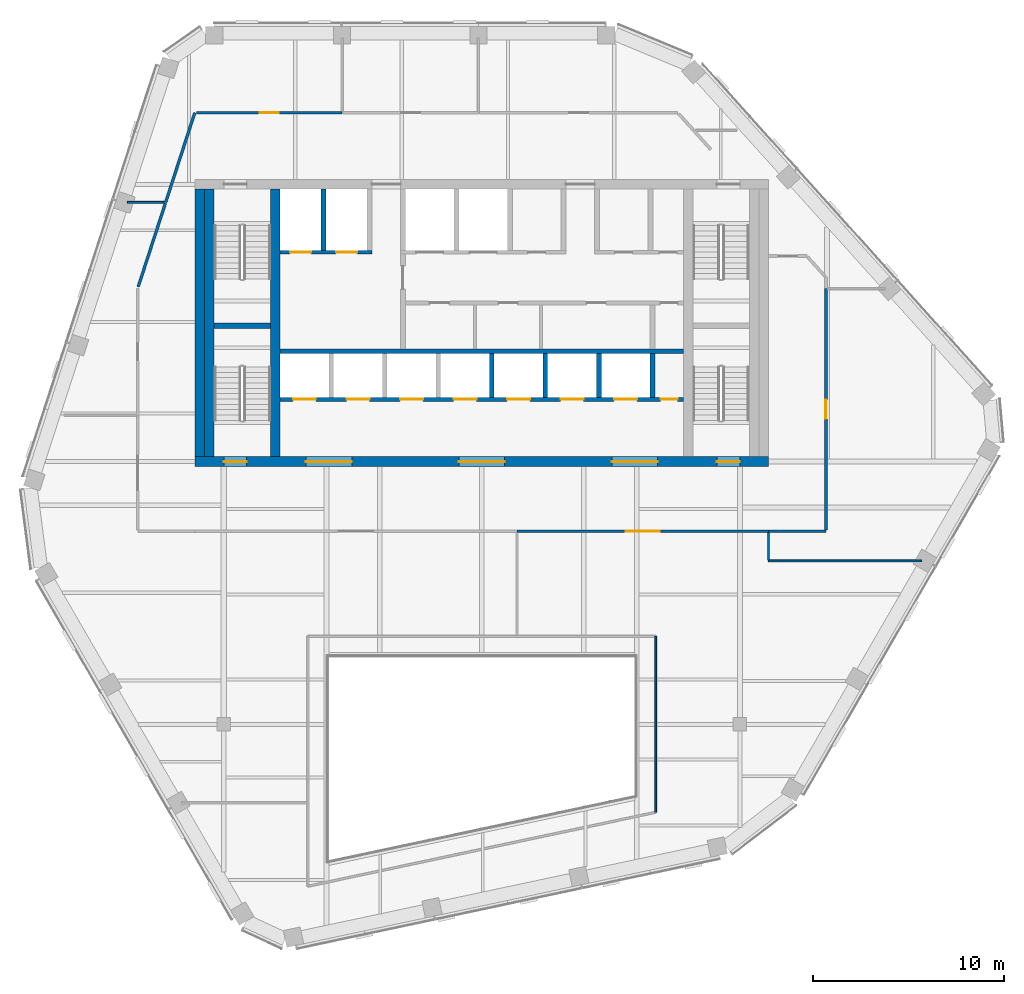
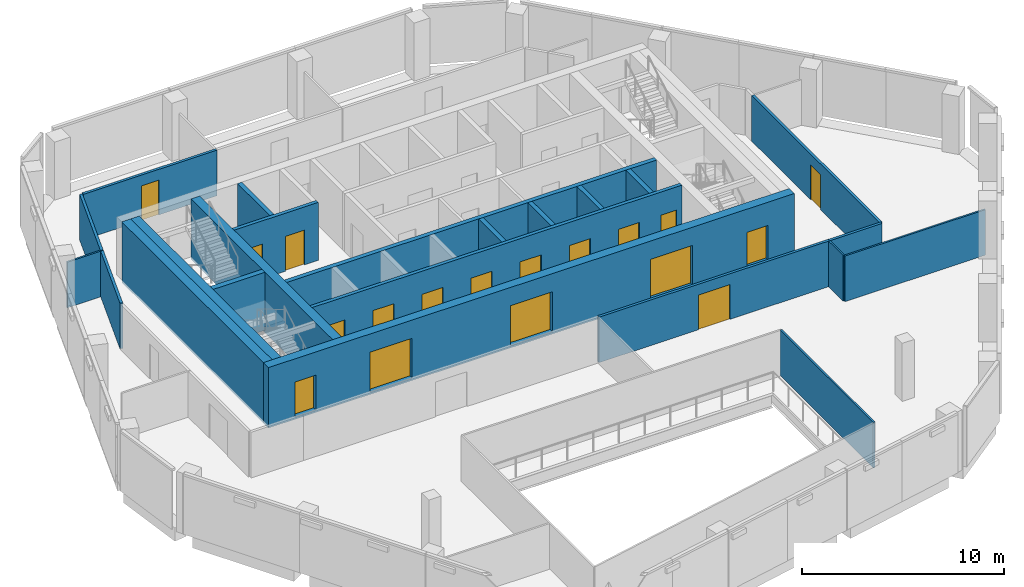
# One storey, part 8 of 15: 23 walls, 18 doors, 18 openings.
"""IFC4 building model written with IfcOpenShell, lengths in metres."""

from ifc_helpers import new_model, si_unit, direction, frame, frame_2d, origin, place, context, subcontext, project, spatial, rectangle, extrude, material, layer, layer_set, type_object, element, fill, save


model = new_model("IFC4")

# Units and contexts
model_context = context("Model", 3, precision=1e-05, world=origin(), true_north=direction((0.0, 1.0)))
body_context = subcontext(model_context, "Body", "Model", "MODEL_VIEW")
ifc_project = project(units=[si_unit("LENGTHUNIT", "METRE"), si_unit("AREAUNIT", "SQUARE_METRE"), si_unit("VOLUMEUNIT", "CUBIC_METRE"), si_unit("PLANEANGLEUNIT", "RADIAN"), si_unit("MASSUNIT", "GRAM", prefix="KILO")], contexts=[model_context])

# Site, building, storey
site_placement = place(None, origin())
site = spatial("IfcSite", under=ifc_project, at=site_placement, CompositionType="ELEMENT")
building_placement = place(site_placement, origin())
building = spatial("IfcBuilding", under=site, at=building_placement, Name="Isthmus Gate Tower", CompositionType="ELEMENT")
storey_placement = place(building_placement, frame((0.0, 0.0, 290.14990234375)))
storey = spatial("IfcBuildingStorey", under=building, at=storey_placement, Name="L74", CompositionType="ELEMENT", Elevation=290.14990234375)

# Wall
ifc_material_1 = material(Name="Fire-rated laminated glass in steel frame", Category="steel")
ifc_layer_1 = layer(ifc_material_1, 0.10009765625)
ifc_layer_set_1 = layer_set([ifc_layer_1], Name="ATRIUM SCREEN GLAZED WALL 100 120 MIN")
wall_type_1 = type_object("IfcWallType", Name="ATRIUM SCREEN GLAZED WALL 100 120 MIN", PredefinedType="PARTITIONING", material=ifc_layer_set_1)
wall_1_placement = place(storey_placement, frame((9.10009765625, -8.89990234375, 0.0), z_axis=(0.0, 0.0, 1.0), x_axis=(0.0, -1.0, 0.0)))
element("IfcWall", 1, at=wall_1_placement, inside=storey, type_object=wall_type_1, Name="L74 atrium screen", PredefinedType="PARTITIONING", context=body_context, shape_type="SweptSolid", body=[
    extrude(rectangle(XDim=9.200927734375, YDim=0.10009765625, at=frame_2d((4.6005859375, 0.0))), origin(), (0.0, 0.0, 1.0), 2.750732421875),
])

# Wall, opening, door
ifc_material_2 = material(Name="Gypsum board on steel studs, fire-rated", Category="steel")
ifc_layer_2 = layer(ifc_material_2, 0.14990234375)
ifc_layer_set_2 = layer_set([ifc_layer_2], Name="CORRIDOR WALL 150 60 MIN")
wall_type_2 = type_object("IfcWallType", Name="CORRIDOR WALL 150 60 MIN", PredefinedType="PARTITIONING", material=ifc_layer_set_2)
wall_2_placement = place(storey_placement, frame((15.0, -3.39990234375, 0.0), z_axis=(0.0, 0.0, 1.0), x_axis=(-1.0, 0.0, 0.0)))
wall_2 = element("IfcWall", 2, at=wall_2_placement, inside=storey, type_object=wall_type_2, Name="L74 Corridor Wall 150 60 Min", PredefinedType="PARTITIONING", context=body_context, shape_type="SweptSolid", body=[
    extrude(rectangle(XDim=13.156005859375, YDim=0.14990234375, at=frame_2d((6.578125, 0.0))), origin(), (0.0, 0.0, 1.0), 2.750732421875),
])
opening_1_placement = place(wall_2_placement, frame((5.677978515625, 0.0, 0.0)))
opening_1 = element("IfcOpeningElement", 3, at=opening_1_placement, cuts=wall_2, Name="Opening DT-T6C-09", PredefinedType="OPENING", context=body_context, shape_type="SweptSolid", body=[
    extrude(rectangle(XDim=1.800048828125, YDim=2.10009765625, at=frame_2d((0.89990234375, 1.050048828125))), frame((0.0, 0.0849609375, 0.0), z_axis=(0.0, -1.0, 0.0), x_axis=(1.0, 0.0, 0.0)), (0.0, 0.0, 1.0), 0.169921875),
])
ifc_material_3 = material(Name="Solid core timber door leaf, fire-rated", Category="wood")
door_type_1 = type_object("IfcDoorType", Name="FIRE DOOR ROOM 1800 X 2100 60 MIN", OperationType="DOUBLE_DOOR_DOUBLE_SWING", PredefinedType="DOOR", material=ifc_material_3)
door_1_placement = place(opening_1_placement, origin())
door_1 = element("IfcDoor", 4, at=door_1_placement, inside=storey, type_object=door_type_1, Name="L74 room door", OperationType="DOUBLE_DOOR_DOUBLE_SWING", OverallHeight=2.10009765625, OverallWidth=1.800048828125, PredefinedType="DOOR", context=body_context, shape_type="SweptSolid", body=[
    extrude(rectangle(XDim=1.800048828125, YDim=2.10009765625, at=frame_2d((0.89990234375, 1.050048828125))), frame((0.0, 0.02490234375, 0.0), z_axis=(0.0, -1.0, 0.0), x_axis=(1.0, 0.0, 0.0)), (0.0, 0.0, 1.0), 0.050048828125),
])
fill(opening_1, door_1)

# Wall
wall_3_placement = place(storey_placement, frame((18.0, -3.39990234375, 0.0), z_axis=(0.0, 0.0, 1.0), x_axis=(-1.0, 0.0, 0.0)))
element("IfcWall", 5, at=wall_3_placement, inside=storey, type_object=wall_type_2, Name="L74 Corridor Wall 150 60 Min", PredefinedType="PARTITIONING", context=body_context, shape_type="SweptSolid", body=[
    extrude(rectangle(XDim=3.0, YDim=0.14990234375, at=frame_2d((1.5, 0.0))), origin(), (0.0, 0.0, 1.0), 2.750732421875),
])

# Wall, opening, door
wall_4_placement = place(storey_placement, frame((18.0, 9.2900390625, 0.0), z_axis=(0.0, 0.0, 1.0), x_axis=(0.0, -1.0, 0.0)))
wall_4 = element("IfcWall", 6, at=wall_4_placement, inside=storey, type_object=wall_type_2, Name="L74 Corridor Wall 150 60 Min", PredefinedType="PARTITIONING", context=body_context, shape_type="SweptSolid", body=[
    extrude(rectangle(XDim=12.614990234375, YDim=0.14990234375, at=frame_2d((6.3076171875, 0.0))), origin(), (0.0, 0.0, 1.0), 2.750732421875),
])
opening_2_placement = place(wall_4_placement, frame((5.8076171875, 0.0, 0.0)))
opening_2 = element("IfcOpeningElement", 7, at=opening_2_placement, cuts=wall_4, Name="Opening DT-T6C-06", PredefinedType="OPENING", context=body_context, shape_type="SweptSolid", body=[
    extrude(rectangle(XDim=1.0, YDim=2.10009765625, at=frame_2d((0.5, 1.050048828125))), frame((0.0, 0.0849609375, 0.0), z_axis=(0.0, -1.0, 0.0), x_axis=(1.0, 0.0, 0.0)), (0.0, 0.0, 1.0), 0.169921875),
])
ifc_material_4 = material(Name="Solid core timber door leaf, fire-rated", Category="wood")
door_type_2 = type_object("IfcDoorType", Name="FIRE DOOR ROOM 1000 X 2100 60 MIN", OperationType="SINGLE_SWING_LEFT", PredefinedType="DOOR", material=ifc_material_4)
door_2_placement = place(opening_2_placement, origin())
door_2 = element("IfcDoor", 8, at=door_2_placement, inside=storey, type_object=door_type_2, Name="L74 room door", OperationType="SINGLE_SWING_RIGHT", OverallHeight=2.10009765625, OverallWidth=1.0, PredefinedType="DOOR", context=body_context, shape_type="SweptSolid", body=[
    extrude(rectangle(XDim=1.0, YDim=2.10009765625, at=frame_2d((0.5, 1.050048828125))), frame((0.0, 0.02490234375, 0.0), z_axis=(0.0, -1.0, 0.0), x_axis=(1.0, 0.0, 0.0)), (0.0, 0.0, 1.0), 0.050048828125),
])
fill(opening_2, door_2)

# Wall
wall_5_placement = place(storey_placement, frame((-16.541015625, 13.803955078125, 0.0), z_axis=(0.0, 0.0, 1.0), x_axis=(0.309069302416, 0.951039518792, 0.0)))
element("IfcWall", 9, at=wall_5_placement, inside=storey, type_object=wall_type_2, Name="L74 Corridor Wall 150 60 Min", PredefinedType="PARTITIONING", context=body_context, shape_type="SweptSolid", body=[
    extrude(rectangle(XDim=4.937744140625, YDim=0.14990234375, at=frame_2d((2.46875, 0.0))), origin(), (0.0, 0.0, 1.0), 2.750732421875),
])

# Wall, opening, door
wall_6_placement = place(storey_placement, frame((-14.925048828125, 18.5, 0.0), z_axis=(0.0, 0.0, 1.0), x_axis=(1.0, 0.0, 0.0)))
wall_6 = element("IfcWall", 10, at=wall_6_placement, inside=storey, type_object=wall_type_2, Name="L74 Corridor Wall 150 60 Min", PredefinedType="PARTITIONING", context=body_context, shape_type="SweptSolid", body=[
    extrude(rectangle(XDim=7.614990234375, YDim=0.14990234375, at=frame_2d((3.8076171875, 0.0))), origin(), (0.0, 0.0, 1.0), 2.750732421875),
])
opening_3_placement = place(wall_6_placement, frame((3.3076171875, 0.0, 0.0)))
opening_3 = element("IfcOpeningElement", 11, at=opening_3_placement, cuts=wall_6, Name="Opening DT-T6C-01", PredefinedType="OPENING", context=body_context, shape_type="SweptSolid", body=[
    extrude(rectangle(XDim=1.0, YDim=2.10009765625, at=frame_2d((0.5, 1.050048828125))), frame((0.0, 0.0849609375, 0.0), z_axis=(0.0, -1.0, 0.0), x_axis=(1.0, 0.0, 0.0)), (0.0, 0.0, 1.0), 0.169921875),
])
door_3_placement = place(opening_3_placement, origin())
door_3 = element("IfcDoor", 12, at=door_3_placement, inside=storey, type_object=door_type_2, Name="L74 room door", OperationType="SINGLE_SWING_RIGHT", OverallHeight=2.10009765625, OverallWidth=1.0, PredefinedType="DOOR", context=body_context, shape_type="SweptSolid", body=[
    extrude(rectangle(XDim=1.0, YDim=2.10009765625, at=frame_2d((0.5, 1.050048828125))), frame((0.0, 0.02490234375, 0.0), z_axis=(0.0, -1.0, 0.0), x_axis=(1.0, 0.0, 0.0)), (0.0, 0.0, 1.0), 0.050048828125),
])
fill(opening_3, door_3)

# Walls
wall_7_placement = place(storey_placement, frame((-17.976806640625, 9.38623046875, 0.0), z_axis=(0.0, 0.0, 1.0), x_axis=(0.309110099354, 0.951026259615, 0.0)))
element("IfcWall", 13, at=wall_7_placement, inside=storey, type_object=wall_type_2, Name="L74 Corridor Wall 150 60 Min", PredefinedType="PARTITIONING", context=body_context, shape_type="SweptSolid", body=[
    extrude(rectangle(XDim=4.59521484375, YDim=0.14990234375, at=frame_2d((2.297607421875, 0.0))), origin(), (0.0, 0.0, 1.0), 2.750732421875),
])
ifc_material_5 = material(Name="Concrete f'c 50 MPa", Category="concrete")
ifc_layer_3 = layer(ifc_material_5, 0.5)
ifc_layer_set_3 = layer_set([ifc_layer_3], Name="RC CORE SPINE WALL 500 F'C 50")
wall_type_3 = type_object("IfcWallType", Name="RC CORE SPINE WALL 500 F'C 50", PredefinedType="SOLIDWALL", material=ifc_layer_set_3)
wall_8_placement = place(storey_placement, frame((-10.800048828125, 0.5, -0.14990234375), z_axis=(0.0, 0.0, 1.0), x_axis=(0.0, 1.0, 0.0)))
element("IfcWall", 14, at=wall_8_placement, inside=storey, type_object=wall_type_3, Name="str-corewall-L74-SPW", PredefinedType="SOLIDWALL", context=body_context, shape_type="SweptSolid", body=[
    extrude(rectangle(XDim=14.0, YDim=0.5, at=frame_2d((7.0, 0.0))), origin(), (0.0, 0.0, 1.0), 3.64990234375),
])

# Wall, openings, doors
ifc_material_6 = material(Name="Concrete f'c 50 MPa", Category="concrete")
ifc_layer_4 = layer(ifc_material_6, 0.5)
ifc_layer_set_4 = layer_set([ifc_layer_4], Name="RC CORE WALL 500 F'C 50")
wall_type_4 = type_object("IfcWallType", Name="RC CORE WALL 500 F'C 50", PredefinedType="SOLIDWALL", material=ifc_layer_set_4)
wall_9_placement = place(storey_placement, frame((-15.0, 0.25, -0.14990234375), z_axis=(0.0, 0.0, 1.0), x_axis=(1.0, 0.0, 0.0)))
wall_9 = element("IfcWall", 15, at=wall_9_placement, inside=storey, type_object=wall_type_4, Name="str-corewall-L74-S", PredefinedType="SOLIDWALL", context=body_context, shape_type="SweptSolid", body=[
    extrude(rectangle(XDim=30.0, YDim=0.5, at=frame_2d((15.0, 0.0))), origin(), (0.0, 0.0, 1.0), 3.64990234375),
])
opening_4_placement = place(wall_9_placement, frame((5.800048828125, 0.0, 0.14990234375)))
opening_4 = element("IfcOpeningElement", 16, at=opening_4_placement, cuts=wall_9, Name="Opening DC-A20-10", PredefinedType="OPENING", context=body_context, shape_type="SweptSolid", body=[
    extrude(rectangle(XDim=2.39990234375, YDim=2.39990234375, at=frame_2d((1.199951171875, 1.199951171875))), frame((0.0, 0.260009765625, 0.0), z_axis=(0.0, -1.0, 0.0), x_axis=(1.0, 0.0, 0.0)), (0.0, 0.0, 1.0), 0.52001953125),
])
opening_5_placement = place(wall_9_placement, frame((13.800048828125, 0.0, 0.14990234375)))
opening_5 = element("IfcOpeningElement", 17, at=opening_5_placement, cuts=wall_9, Name="Opening DC-A20-11", PredefinedType="OPENING", context=body_context, shape_type="SweptSolid", body=[
    extrude(rectangle(XDim=2.39990234375, YDim=2.39990234375, at=frame_2d((1.199951171875, 1.199951171875))), frame((0.0, 0.260009765625, 0.0), z_axis=(0.0, -1.0, 0.0), x_axis=(1.0, 0.0, 0.0)), (0.0, 0.0, 1.0), 0.52001953125),
])
opening_6_placement = place(wall_9_placement, frame((21.800048828125, 0.0, 0.14990234375)))
opening_6 = element("IfcOpeningElement", 18, at=opening_6_placement, cuts=wall_9, Name="Opening DC-A20-12", PredefinedType="OPENING", context=body_context, shape_type="SweptSolid", body=[
    extrude(rectangle(XDim=2.39990234375, YDim=2.39990234375, at=frame_2d((1.199951171875, 1.199951171875))), frame((0.0, 0.260009765625, 0.0), z_axis=(0.0, -1.0, 0.0), x_axis=(1.0, 0.0, 0.0)), (0.0, 0.0, 1.0), 0.52001953125),
])
opening_7_placement = place(wall_9_placement, frame((1.5, 0.0, 0.14990234375)))
opening_7 = element("IfcOpeningElement", 19, at=opening_7_placement, cuts=wall_9, Name="Opening DC-A20-17", PredefinedType="OPENING", context=body_context, shape_type="SweptSolid", body=[
    extrude(rectangle(XDim=1.199951171875, YDim=2.10009765625, at=frame_2d((0.60009765625, 1.050048828125))), frame((0.0, 0.260009765625, 0.0), z_axis=(0.0, -1.0, 0.0), x_axis=(1.0, 0.0, 0.0)), (0.0, 0.0, 1.0), 0.52001953125),
])
opening_8_placement = place(wall_9_placement, frame((27.300048828125, 0.0, 0.14990234375)))
opening_8 = element("IfcOpeningElement", 20, at=opening_8_placement, cuts=wall_9, Name="Opening DC-A20-18", PredefinedType="OPENING", context=body_context, shape_type="SweptSolid", body=[
    extrude(rectangle(XDim=1.199951171875, YDim=2.10009765625, at=frame_2d((0.60009765625, 1.050048828125))), frame((0.0, 0.260009765625, 0.0), z_axis=(0.0, -1.0, 0.0), x_axis=(1.0, 0.0, 0.0)), (0.0, 0.0, 1.0), 0.52001953125),
])
ifc_material_7 = material(Name="Laminated safety glass in steel frame, fire-rated", Category="steel")
door_type_3 = type_object("IfcDoorType", Name="LOBBY ENTRANCE FIRE DOOR 2400 X 2400 60 MIN", OperationType="DOUBLE_DOOR_DOUBLE_SWING", PredefinedType="DOOR", material=ifc_material_7)
door_4_placement = place(opening_4_placement, origin())
door_4 = element("IfcDoor", 21, at=door_4_placement, inside=storey, type_object=door_type_3, Name="Lobby Entrance PS-W", OperationType="DOUBLE_DOOR_DOUBLE_SWING", OverallHeight=2.39990234375, OverallWidth=2.39990234375, PredefinedType="DOOR", context=body_context, shape_type="SweptSolid", body=[
    extrude(rectangle(XDim=2.39990234375, YDim=2.39990234375, at=frame_2d((1.199951171875, 1.199951171875))), frame((0.0, 0.02490234375, 0.0), z_axis=(0.0, -1.0, 0.0), x_axis=(1.0, 0.0, 0.0)), (0.0, 0.0, 1.0), 0.050048828125),
])
fill(opening_4, door_4)
door_5_placement = place(opening_5_placement, origin())
door_5 = element("IfcDoor", 22, at=door_5_placement, inside=storey, type_object=door_type_3, Name="Lobby Entrance PS-C", OperationType="DOUBLE_DOOR_DOUBLE_SWING", OverallHeight=2.39990234375, OverallWidth=2.39990234375, PredefinedType="DOOR", context=body_context, shape_type="SweptSolid", body=[
    extrude(rectangle(XDim=2.39990234375, YDim=2.39990234375, at=frame_2d((1.199951171875, 1.199951171875))), frame((0.0, 0.02490234375, 0.0), z_axis=(0.0, -1.0, 0.0), x_axis=(1.0, 0.0, 0.0)), (0.0, 0.0, 1.0), 0.050048828125),
])
fill(opening_5, door_5)
door_6_placement = place(opening_6_placement, origin())
door_6 = element("IfcDoor", 23, at=door_6_placement, inside=storey, type_object=door_type_3, Name="Lobby Entrance PS-E", OperationType="DOUBLE_DOOR_DOUBLE_SWING", OverallHeight=2.39990234375, OverallWidth=2.39990234375, PredefinedType="DOOR", context=body_context, shape_type="SweptSolid", body=[
    extrude(rectangle(XDim=2.39990234375, YDim=2.39990234375, at=frame_2d((1.199951171875, 1.199951171875))), frame((0.0, 0.02490234375, 0.0), z_axis=(0.0, -1.0, 0.0), x_axis=(1.0, 0.0, 0.0)), (0.0, 0.0, 1.0), 0.050048828125),
])
fill(opening_6, door_6)
ifc_material_8 = material(Name="Steel door leaf, fire-rated", Category="steel")
door_type_4 = type_object("IfcDoorType", Name="STAIR FIRE DOOR 1200 X 2100 90 MIN", OperationType="SINGLE_SWING_LEFT", PredefinedType="DOOR", material=ifc_material_8)
door_7_placement = place(opening_7_placement, origin())
door_7 = element("IfcDoor", 24, at=door_7_placement, inside=storey, type_object=door_type_4, Name="Exit Stair 7 Door", OperationType="SINGLE_SWING_LEFT", OverallHeight=2.10009765625, OverallWidth=1.199951171875, PredefinedType="DOOR", context=body_context, shape_type="SweptSolid", body=[
    extrude(rectangle(XDim=1.199951171875, YDim=2.10009765625, at=frame_2d((0.60009765625, 1.050048828125))), frame((0.0, 0.02490234375, 0.0), z_axis=(0.0, -1.0, 0.0), x_axis=(1.0, 0.0, 0.0)), (0.0, 0.0, 1.0), 0.050048828125),
])
fill(opening_7, door_7)
door_8_placement = place(opening_8_placement, origin())
door_8 = element("IfcDoor", 25, at=door_8_placement, inside=storey, type_object=door_type_4, Name="Exit Stair 8 Door", OperationType="SINGLE_SWING_RIGHT", OverallHeight=2.10009765625, OverallWidth=1.199951171875, PredefinedType="DOOR", context=body_context, shape_type="SweptSolid", body=[
    extrude(rectangle(XDim=1.199951171875, YDim=2.10009765625, at=frame_2d((0.60009765625, 1.050048828125))), frame((0.0, 0.02490234375, 0.0), z_axis=(0.0, -1.0, 0.0), x_axis=(1.0, 0.0, 0.0)), (0.0, 0.0, 1.0), 0.050048828125),
])
fill(opening_8, door_8)

# Walls
wall_10_placement = place(storey_placement, frame((-14.75, 0.5, -0.14990234375), z_axis=(0.0, 0.0, 1.0), x_axis=(0.0, 1.0, 0.0)))
element("IfcWall", 26, at=wall_10_placement, inside=storey, type_object=wall_type_4, Name="str-corewall-L74-W", PredefinedType="SOLIDWALL", context=body_context, shape_type="SweptSolid", body=[
    extrude(rectangle(XDim=14.0, YDim=0.5, at=frame_2d((7.0, 0.0))), origin(), (0.0, 0.0, 1.0), 3.64990234375),
])
ifc_material_9 = material(Name="Gypsum board on steel studs, fire-rated", Category="steel")
ifc_layer_5 = layer(ifc_material_9, 0.10009765625)
ifc_layer_set_5 = layer_set([ifc_layer_5], Name="ROOM PARTITION 100 30 MIN")
wall_type_5 = type_object("IfcWallType", Name="ROOM PARTITION 100 30 MIN", PredefinedType="PARTITIONING", material=ifc_layer_set_5)
wall_11_placement = place(storey_placement, frame((-18.5390625, 13.803955078125, 0.0), z_axis=(0.0, 0.0, 1.0), x_axis=(1.0, 0.0, 0.0)))
element("IfcWall", 27, at=wall_11_placement, inside=storey, type_object=wall_type_5, Name="L74 Room Partition 100 30 Min", PredefinedType="PARTITIONING", context=body_context, shape_type="SweptSolid", body=[
    extrude(rectangle(XDim=1.923095703125, YDim=0.10009765625, at=frame_2d((0.96142578125, 0.0))), origin(), (0.0, 0.0, 1.0), 2.750732421875),
])
wall_12_placement = place(storey_placement, frame((15.0, -4.945068359375, 0.0), z_axis=(0.0, 0.0, 1.0), x_axis=(1.0, 0.0, 0.0)))
element("IfcWall", 28, at=wall_12_placement, inside=storey, type_object=wall_type_5, Name="L74 Room Partition 100 30 Min", PredefinedType="PARTITIONING", context=body_context, shape_type="SweptSolid", body=[
    extrude(rectangle(XDim=8.010009765625, YDim=0.10009765625, at=frame_2d((4.0048828125, 0.0))), origin(), (0.0, 0.0, 1.0), 2.750732421875),
])
wall_13_placement = place(storey_placement, frame((15.0, -4.89501953125, 0.0), z_axis=(0.0, 0.0, 1.0), x_axis=(0.0, 1.0, 0.0)))
element("IfcWall", 29, at=wall_13_placement, inside=storey, type_object=wall_type_5, Name="L74 Room Partition 100 30 Min", PredefinedType="PARTITIONING", context=body_context, shape_type="SweptSolid", body=[
    extrude(rectangle(XDim=1.419921875, YDim=0.10009765625, at=frame_2d((0.7099609375, 0.0))), origin(), (0.0, 0.0, 1.0), 2.750732421875),
])

# Wall, openings, doors
ifc_material_10 = material(Name="Fire-rated blockwork masonry, 15 MPa", Category="masonry")
ifc_layer_6 = layer(ifc_material_10, 0.199951171875)
ifc_layer_set_6 = layer_set([ifc_layer_6], Name="SHAFT FRONT WALL 200 120 MIN")
wall_type_6 = type_object("IfcWallType", Name="SHAFT FRONT WALL 200 120 MIN", PredefinedType="PARTITIONING", material=ifc_layer_set_6)
wall_14_placement = place(storey_placement, frame((-10.550048828125, 3.5, 0.0), z_axis=(0.0, 0.0, 1.0), x_axis=(1.0, 0.0, 0.0)))
wall_14 = element("IfcWall", 30, at=wall_14_placement, inside=storey, type_object=wall_type_6, Name="L74 SHAFT FRONT WALL 200 120 MIN", PredefinedType="PARTITIONING", context=body_context, shape_type="SweptSolid", body=[
    extrude(rectangle(XDim=21.10009765625, YDim=0.199951171875, at=frame_2d((10.550048828125, 0.0))), origin(), (0.0, 0.0, 1.0), 3.5),
])
opening_9_placement = place(wall_14_placement, frame((0.675048828125, 0.0, 0.0)))
opening_9 = element("IfcOpeningElement", 31, at=opening_9_placement, cuts=wall_14, Name="Opening LD-LC1", PredefinedType="OPENING", context=body_context, shape_type="SweptSolid", body=[
    extrude(rectangle(XDim=1.199951171875, YDim=2.10009765625, at=frame_2d((0.60009765625, 1.050048828125))), frame((0.0, 0.10986328125, 0.0), z_axis=(0.0, -1.0, 0.0), x_axis=(1.0, 0.0, 0.0)), (0.0, 0.0, 1.0), 0.219970703125),
])
opening_10_placement = place(wall_14_placement, frame((3.47509765625, 0.0, 0.0)))
opening_10 = element("IfcOpeningElement", 32, at=opening_10_placement, cuts=wall_14, Name="Opening LD-LC2", PredefinedType="OPENING", context=body_context, shape_type="SweptSolid", body=[
    extrude(rectangle(XDim=1.199951171875, YDim=2.10009765625, at=frame_2d((0.60009765625, 1.050048828125))), frame((0.0, 0.10986328125, 0.0), z_axis=(0.0, -1.0, 0.0), x_axis=(1.0, 0.0, 0.0)), (0.0, 0.0, 1.0), 0.219970703125),
])
opening_11_placement = place(wall_14_placement, frame((6.27490234375, 0.0, 0.0)))
opening_11 = element("IfcOpeningElement", 33, at=opening_11_placement, cuts=wall_14, Name="Opening LD-LC3", PredefinedType="OPENING", context=body_context, shape_type="SweptSolid", body=[
    extrude(rectangle(XDim=1.199951171875, YDim=2.10009765625, at=frame_2d((0.60009765625, 1.050048828125))), frame((0.0, 0.10986328125, 0.0), z_axis=(0.0, -1.0, 0.0), x_axis=(1.0, 0.0, 0.0)), (0.0, 0.0, 1.0), 0.219970703125),
])
opening_12_placement = place(wall_14_placement, frame((9.074951171875, 0.0, 0.0)))
opening_12 = element("IfcOpeningElement", 34, at=opening_12_placement, cuts=wall_14, Name="Opening LD-LC4", PredefinedType="OPENING", context=body_context, shape_type="SweptSolid", body=[
    extrude(rectangle(XDim=1.199951171875, YDim=2.10009765625, at=frame_2d((0.60009765625, 1.050048828125))), frame((0.0, 0.10986328125, 0.0), z_axis=(0.0, -1.0, 0.0), x_axis=(1.0, 0.0, 0.0)), (0.0, 0.0, 1.0), 0.219970703125),
])
opening_13_placement = place(wall_14_placement, frame((11.875, 0.0, 0.0)))
opening_13 = element("IfcOpeningElement", 35, at=opening_13_placement, cuts=wall_14, Name="Opening LD-LC5", PredefinedType="OPENING", context=body_context, shape_type="SweptSolid", body=[
    extrude(rectangle(XDim=1.199951171875, YDim=2.10009765625, at=frame_2d((0.60009765625, 1.050048828125))), frame((0.0, 0.10986328125, 0.0), z_axis=(0.0, -1.0, 0.0), x_axis=(1.0, 0.0, 0.0)), (0.0, 0.0, 1.0), 0.219970703125),
])
opening_14_placement = place(wall_14_placement, frame((14.675048828125, 0.0, 0.0)))
opening_14 = element("IfcOpeningElement", 36, at=opening_14_placement, cuts=wall_14, Name="Opening LD-LC6", PredefinedType="OPENING", context=body_context, shape_type="SweptSolid", body=[
    extrude(rectangle(XDim=1.199951171875, YDim=2.10009765625, at=frame_2d((0.60009765625, 1.050048828125))), frame((0.0, 0.10986328125, 0.0), z_axis=(0.0, -1.0, 0.0), x_axis=(1.0, 0.0, 0.0)), (0.0, 0.0, 1.0), 0.219970703125),
])
opening_15_placement = place(wall_14_placement, frame((17.47509765625, 0.0, 0.0)))
opening_15 = element("IfcOpeningElement", 37, at=opening_15_placement, cuts=wall_14, Name="Opening LD-LC7", PredefinedType="OPENING", context=body_context, shape_type="SweptSolid", body=[
    extrude(rectangle(XDim=1.199951171875, YDim=2.10009765625, at=frame_2d((0.60009765625, 1.050048828125))), frame((0.0, 0.10986328125, 0.0), z_axis=(0.0, -1.0, 0.0), x_axis=(1.0, 0.0, 0.0)), (0.0, 0.0, 1.0), 0.219970703125),
])
opening_16_placement = place(wall_14_placement, frame((19.89990234375, 0.0, 0.0)))
opening_16 = element("IfcOpeningElement", 38, at=opening_16_placement, cuts=wall_14, Name="Opening DC-A20-02", PredefinedType="OPENING", context=body_context, shape_type="SweptSolid", body=[
    extrude(rectangle(XDim=0.89990234375, YDim=2.10009765625, at=frame_2d((0.449951171875, 1.050048828125))), frame((0.0, 0.10986328125, 0.0), z_axis=(0.0, -1.0, 0.0), x_axis=(1.0, 0.0, 0.0)), (0.0, 0.0, 1.0), 0.219970703125),
])
ifc_material_11 = material(Name="Stainless steel sliding leaf", Category="steel")
door_type_5 = type_object("IfcDoorType", Name="LIFT LANDING FIRE DOOR 1200 X 2100 90 MIN", OperationType="DOUBLE_DOOR_SLIDING", PredefinedType="DOOR", material=ifc_material_11)
door_9_placement = place(opening_9_placement, origin())
door_9 = element("IfcDoor", 39, at=door_9_placement, inside=storey, type_object=door_type_5, Name="Lift Landing Door LC1", OperationType="DOUBLE_DOOR_SLIDING", OverallHeight=2.10009765625, OverallWidth=1.199951171875, PredefinedType="DOOR", context=body_context, shape_type="SweptSolid", body=[
    extrude(rectangle(XDim=1.199951171875, YDim=2.10009765625, at=frame_2d((0.60009765625, 1.050048828125))), frame((0.0, 0.02490234375, 0.0), z_axis=(0.0, -1.0, 0.0), x_axis=(1.0, 0.0, 0.0)), (0.0, 0.0, 1.0), 0.050048828125),
])
fill(opening_9, door_9)
door_10_placement = place(opening_10_placement, origin())
door_10 = element("IfcDoor", 40, at=door_10_placement, inside=storey, type_object=door_type_5, Name="Lift Landing Door LC2", OperationType="DOUBLE_DOOR_SLIDING", OverallHeight=2.10009765625, OverallWidth=1.199951171875, PredefinedType="DOOR", context=body_context, shape_type="SweptSolid", body=[
    extrude(rectangle(XDim=1.199951171875, YDim=2.10009765625, at=frame_2d((0.60009765625, 1.050048828125))), frame((0.0, 0.02490234375, 0.0), z_axis=(0.0, -1.0, 0.0), x_axis=(1.0, 0.0, 0.0)), (0.0, 0.0, 1.0), 0.050048828125),
])
fill(opening_10, door_10)
door_11_placement = place(opening_11_placement, origin())
door_11 = element("IfcDoor", 41, at=door_11_placement, inside=storey, type_object=door_type_5, Name="Lift Landing Door LC3", OperationType="DOUBLE_DOOR_SLIDING", OverallHeight=2.10009765625, OverallWidth=1.199951171875, PredefinedType="DOOR", context=body_context, shape_type="SweptSolid", body=[
    extrude(rectangle(XDim=1.199951171875, YDim=2.10009765625, at=frame_2d((0.60009765625, 1.050048828125))), frame((0.0, 0.02490234375, 0.0), z_axis=(0.0, -1.0, 0.0), x_axis=(1.0, 0.0, 0.0)), (0.0, 0.0, 1.0), 0.050048828125),
])
fill(opening_11, door_11)
door_12_placement = place(opening_12_placement, origin())
door_12 = element("IfcDoor", 42, at=door_12_placement, inside=storey, type_object=door_type_5, Name="Lift Landing Door LC4", OperationType="DOUBLE_DOOR_SLIDING", OverallHeight=2.10009765625, OverallWidth=1.199951171875, PredefinedType="DOOR", context=body_context, shape_type="SweptSolid", body=[
    extrude(rectangle(XDim=1.199951171875, YDim=2.10009765625, at=frame_2d((0.60009765625, 1.050048828125))), frame((0.0, 0.02490234375, 0.0), z_axis=(0.0, -1.0, 0.0), x_axis=(1.0, 0.0, 0.0)), (0.0, 0.0, 1.0), 0.050048828125),
])
fill(opening_12, door_12)
door_13_placement = place(opening_13_placement, origin())
door_13 = element("IfcDoor", 43, at=door_13_placement, inside=storey, type_object=door_type_5, Name="Lift Landing Door LC5", OperationType="DOUBLE_DOOR_SLIDING", OverallHeight=2.10009765625, OverallWidth=1.199951171875, PredefinedType="DOOR", context=body_context, shape_type="SweptSolid", body=[
    extrude(rectangle(XDim=1.199951171875, YDim=2.10009765625, at=frame_2d((0.60009765625, 1.050048828125))), frame((0.0, 0.02490234375, 0.0), z_axis=(0.0, -1.0, 0.0), x_axis=(1.0, 0.0, 0.0)), (0.0, 0.0, 1.0), 0.050048828125),
])
fill(opening_13, door_13)
door_14_placement = place(opening_14_placement, origin())
door_14 = element("IfcDoor", 44, at=door_14_placement, inside=storey, type_object=door_type_5, Name="Lift Landing Door LC6", OperationType="DOUBLE_DOOR_SLIDING", OverallHeight=2.10009765625, OverallWidth=1.199951171875, PredefinedType="DOOR", context=body_context, shape_type="SweptSolid", body=[
    extrude(rectangle(XDim=1.199951171875, YDim=2.10009765625, at=frame_2d((0.60009765625, 1.050048828125))), frame((0.0, 0.02490234375, 0.0), z_axis=(0.0, -1.0, 0.0), x_axis=(1.0, 0.0, 0.0)), (0.0, 0.0, 1.0), 0.050048828125),
])
fill(opening_14, door_14)
door_15_placement = place(opening_15_placement, origin())
door_15 = element("IfcDoor", 45, at=door_15_placement, inside=storey, type_object=door_type_5, Name="Lift Landing Door LC7", OperationType="DOUBLE_DOOR_SLIDING", OverallHeight=2.10009765625, OverallWidth=1.199951171875, PredefinedType="DOOR", context=body_context, shape_type="SweptSolid", body=[
    extrude(rectangle(XDim=1.199951171875, YDim=2.10009765625, at=frame_2d((0.60009765625, 1.050048828125))), frame((0.0, 0.02490234375, 0.0), z_axis=(0.0, -1.0, 0.0), x_axis=(1.0, 0.0, 0.0)), (0.0, 0.0, 1.0), 0.050048828125),
])
fill(opening_15, door_15)
ifc_material_12 = material(Name="Steel door leaf, fire-rated", Category="steel")
door_type_6 = type_object("IfcDoorType", Name="RISER FIRE DOOR 900 X 2100 90 MIN", OperationType="SINGLE_SWING_LEFT", PredefinedType="DOOR", material=ifc_material_12)
door_16_placement = place(opening_16_placement, origin())
door_16 = element("IfcDoor", 46, at=door_16_placement, inside=storey, type_object=door_type_6, Name="Riser Door", OperationType="SINGLE_SWING_RIGHT", OverallHeight=2.10009765625, OverallWidth=0.89990234375, PredefinedType="DOOR", context=body_context, shape_type="SweptSolid", body=[
    extrude(rectangle(XDim=0.89990234375, YDim=2.10009765625, at=frame_2d((0.449951171875, 1.050048828125))), frame((0.0, 0.02490234375, 0.0), z_axis=(0.0, -1.0, 0.0), x_axis=(1.0, 0.0, 0.0)), (0.0, 0.0, 1.0), 0.050048828125),
])
fill(opening_16, door_16)

wall_15_placement = place(storey_placement, frame((-10.550048828125, 11.199951171875, 0.0), z_axis=(0.0, 0.0, 1.0), x_axis=(1.0, 0.0, 0.0)))
wall_15 = element("IfcWall", 47, at=wall_15_placement, inside=storey, type_object=wall_type_6, Name="L74 SHAFT FRONT WALL 200 120 MIN", PredefinedType="PARTITIONING", context=body_context, shape_type="SweptSolid", body=[
    extrude(rectangle(XDim=4.800048828125, YDim=0.199951171875, at=frame_2d((2.39990234375, 0.0))), origin(), (0.0, 0.0, 1.0), 3.5),
])
opening_17_placement = place(wall_15_placement, frame((0.52490234375, 0.0, 0.0)))
opening_17 = element("IfcOpeningElement", 48, at=opening_17_placement, cuts=wall_15, Name="Opening LD-LF1", PredefinedType="OPENING", context=body_context, shape_type="SweptSolid", body=[
    extrude(rectangle(XDim=1.10009765625, YDim=2.10009765625, at=frame_2d((0.550048828125, 1.050048828125))), frame((0.0, 0.10986328125, 0.0), z_axis=(0.0, -1.0, 0.0), x_axis=(1.0, 0.0, 0.0)), (0.0, 0.0, 1.0), 0.219970703125),
])
opening_18_placement = place(wall_15_placement, frame((2.925048828125, 0.0, 0.0)))
opening_18 = element("IfcOpeningElement", 49, at=opening_18_placement, cuts=wall_15, Name="Opening LD-LF2", PredefinedType="OPENING", context=body_context, shape_type="SweptSolid", body=[
    extrude(rectangle(XDim=1.10009765625, YDim=2.10009765625, at=frame_2d((0.550048828125, 1.050048828125))), frame((0.0, 0.10986328125, 0.0), z_axis=(0.0, -1.0, 0.0), x_axis=(1.0, 0.0, 0.0)), (0.0, 0.0, 1.0), 0.219970703125),
])
ifc_material_13 = material(Name="Stainless steel sliding leaf", Category="steel")
door_type_7 = type_object("IfcDoorType", Name="LIFT LANDING FIRE DOOR 1100 X 2100 90 MIN", OperationType="DOUBLE_DOOR_SLIDING", PredefinedType="DOOR", material=ifc_material_13)
door_17_placement = place(opening_17_placement, origin())
door_17 = element("IfcDoor", 50, at=door_17_placement, inside=storey, type_object=door_type_7, Name="Lift Landing Door LF1", OperationType="DOUBLE_DOOR_SLIDING", OverallHeight=2.10009765625, OverallWidth=1.10009765625, PredefinedType="DOOR", context=body_context, shape_type="SweptSolid", body=[
    extrude(rectangle(XDim=1.10009765625, YDim=2.10009765625, at=frame_2d((0.550048828125, 1.050048828125))), frame((0.0, 0.02490234375, 0.0), z_axis=(0.0, -1.0, 0.0), x_axis=(1.0, 0.0, 0.0)), (0.0, 0.0, 1.0), 0.050048828125),
])
fill(opening_17, door_17)
door_18_placement = place(opening_18_placement, origin())
door_18 = element("IfcDoor", 51, at=door_18_placement, inside=storey, type_object=door_type_7, Name="Lift Landing Door LF2", OperationType="DOUBLE_DOOR_SLIDING", OverallHeight=2.10009765625, OverallWidth=1.10009765625, PredefinedType="DOOR", context=body_context, shape_type="SweptSolid", body=[
    extrude(rectangle(XDim=1.10009765625, YDim=2.10009765625, at=frame_2d((0.550048828125, 1.050048828125))), frame((0.0, 0.02490234375, 0.0), z_axis=(0.0, -1.0, 0.0), x_axis=(1.0, 0.0, 0.0)), (0.0, 0.0, 1.0), 0.050048828125),
])
fill(opening_18, door_18)

# Walls
ifc_material_14 = material(Name="Fire-rated blockwork masonry, 15 MPa", Category="masonry")
ifc_layer_7 = layer(ifc_material_14, 0.25)
ifc_layer_set_7 = layer_set([ifc_layer_7], Name="SHAFT WALL 250 120 MIN")
wall_type_7 = type_object("IfcWallType", Name="SHAFT WALL 250 120 MIN", PredefinedType="PARTITIONING", material=ifc_layer_set_7)
wall_16_placement = place(storey_placement, frame((-10.550048828125, 6.02490234375, 0.0), z_axis=(0.0, 0.0, 1.0), x_axis=(1.0, 0.0, 0.0)))
element("IfcWall", 52, at=wall_16_placement, inside=storey, type_object=wall_type_7, Name="L74 SHAFT WALL 250 120 MIN", PredefinedType="PARTITIONING", context=body_context, shape_type="SweptSolid", body=[
    extrude(rectangle(XDim=21.10009765625, YDim=0.25, at=frame_2d((10.550048828125, 0.0))), origin(), (0.0, 0.0, 1.0), 3.5),
])
for number, where, z_axis, x_axis, name in (
    (53, (0.52490234375, 3.60009765625, 0.0), (0.0, 0.0, 1.0), (0.0, 1.0, 0.0), "L74 SHAFT WALL 250 120 MIN"),
    (54, (3.324951171875, 3.60009765625, 0.0), (0.0, 0.0, 1.0), (0.0, 1.0, 0.0), "L74 SHAFT WALL 250 120 MIN"),
    (55, (6.125, 3.60009765625, 0.0), (0.0, 0.0, 1.0), (0.0, 1.0, 0.0), "L74 SHAFT WALL 250 120 MIN"),
    (56, (8.925048828125, 3.60009765625, 0.0), (0.0, 0.0, 1.0), (0.0, 1.0, 0.0), "L74 SHAFT WALL 250 120 MIN"),
):
    element("IfcWall", number, at=place(storey_placement, frame(where, z_axis=z_axis, x_axis=x_axis)), inside=storey, type_object=wall_type_7, Name=name, PredefinedType="PARTITIONING", context=body_context, shape_type="SweptSolid", body=[
        extrude(rectangle(XDim=2.2998046875, YDim=0.25, at=frame_2d((1.14990234375, 0.0))), origin(), (0.0, 0.0, 1.0), 3.5),
    ])
wall_17_placement = place(storey_placement, frame((-8.27490234375, 11.300048828125, 0.0), z_axis=(0.0, 0.0, 1.0), x_axis=(0.0, 1.0, 0.0)))
element("IfcWall", 57, at=wall_17_placement, inside=storey, type_object=wall_type_7, Name="L74 SHAFT WALL 250 120 MIN", PredefinedType="PARTITIONING", context=body_context, shape_type="SweptSolid", body=[
    extrude(rectangle(XDim=3.199951171875, YDim=0.25, at=frame_2d((1.60009765625, 0.0))), origin(), (0.0, 0.0, 1.0), 3.5),
])
ifc_material_15 = material(Name="Concrete f'c 40 MPa", Category="concrete")
ifc_layer_8 = layer(ifc_material_15, 0.300048828125)
ifc_layer_set_8 = layer_set([ifc_layer_8], Name="STAIR ENCLOSURE WALL 300 180 MIN")
wall_type_8 = type_object("IfcWallType", Name="STAIR ENCLOSURE WALL 300 180 MIN", PredefinedType="SOLIDWALL", material=ifc_layer_set_8)
wall_18_placement = place(storey_placement, frame((-14.0, 7.35009765625, 0.0), z_axis=(0.0, 0.0, 1.0), x_axis=(1.0, 0.0, 0.0)))
element("IfcWall", 58, at=wall_18_placement, inside=storey, type_object=wall_type_8, Name="L74 STAIR ENCLOSURE WALL 300 180 MIN", PredefinedType="SOLIDWALL", context=body_context, shape_type="SweptSolid", body=[
    extrude(rectangle(XDim=2.949951171875, YDim=0.300048828125, at=frame_2d((1.47509765625, 0.0))), origin(), (0.0, 0.0, 1.0), 3.5),
])
ifc_material_16 = material(Name="Concrete f'c 40 MPa", Category="concrete")
ifc_layer_9 = layer(ifc_material_16, 0.5)
ifc_layer_set_9 = layer_set([ifc_layer_9], Name="STAIR ENCLOSURE WALL 500 180 MIN")
wall_type_9 = type_object("IfcWallType", Name="STAIR ENCLOSURE WALL 500 180 MIN", PredefinedType="SOLIDWALL", material=ifc_layer_set_9)
wall_19_placement = place(storey_placement, frame((-14.25, 0.5, 0.0), z_axis=(0.0, 0.0, 1.0), x_axis=(0.0, 1.0, 0.0)))
element("IfcWall", 59, at=wall_19_placement, inside=storey, type_object=wall_type_9, Name="L74 STAIR ENCLOSURE WALL 500 180 MIN", PredefinedType="SOLIDWALL", context=body_context, shape_type="SweptSolid", body=[
    extrude(rectangle(XDim=14.0, YDim=0.5, at=frame_2d((7.0, 0.0))), origin(), (0.0, 0.0, 1.0), 3.5),
])

save(model, "model.ifc")
